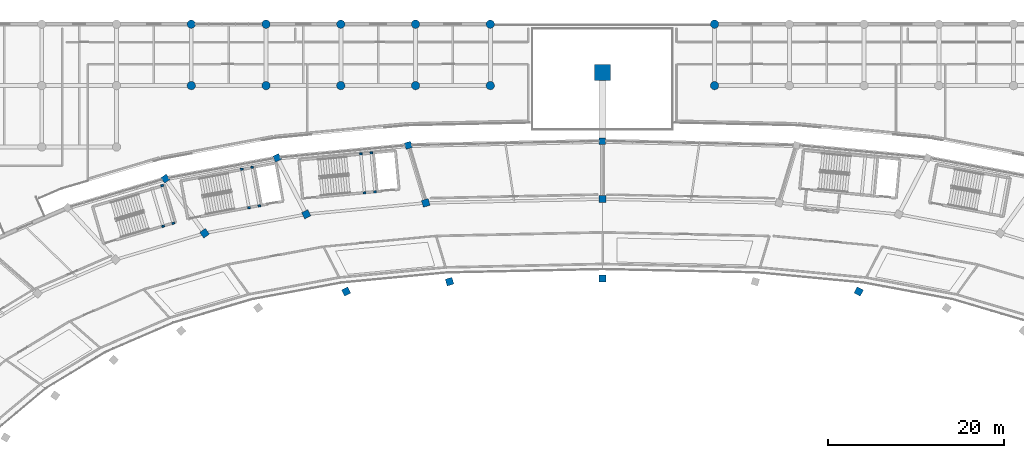
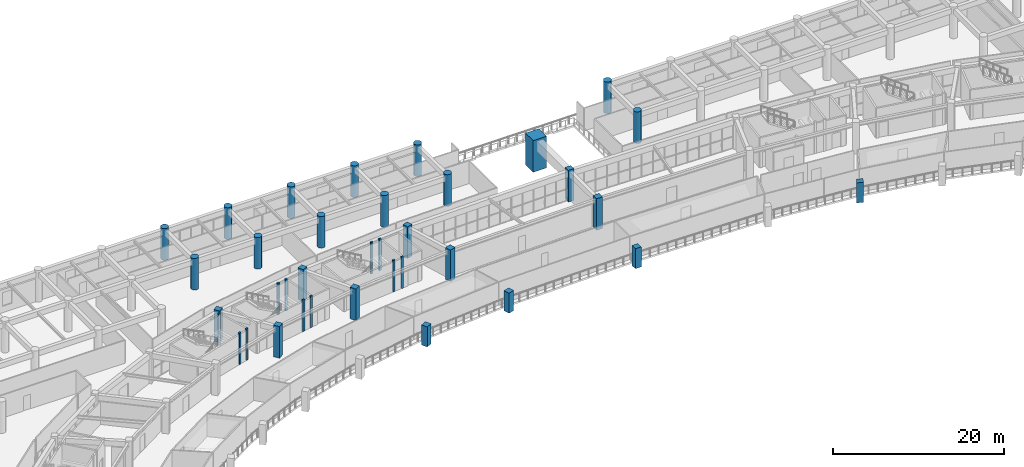
# One storey, part 8 of 141: 36 columns.
"""IFC4 building model written with IfcOpenShell, lengths in metres."""

import ifcopenshell
import ifcopenshell.guid

model = None  # the IFC model being written
_history = None  # IfcOwnerHistory: only IFC2X3 demands one
_inside = {}  # id of a spatial element -> (the spatial element, [elements in it])
_under = {}  # id of a project, library or spatial element -> (it, [spatial elements below it])
_declared = {}  # id of a project -> (the project, [libraries it declares])
_typed = {}  # id of a type object -> (the type object, [elements of that type])
_made_of = {}  # id of a material, layer set ... -> (it, [elements and type objects made of it])


def new_model(schema):
    """Start an empty IFC model of exactly this schema.

    Asked for "IFC4X3", IfcOpenShell would pick the latest addendum, in which some entities
    have other attributes; the version numbers below select the first issue.
    IFC2X3 requires an IfcOwnerHistory on every rooted entity: one is made here for all.
    """
    global model, _history
    if schema == "IFC4X3":
        model = ifcopenshell.file(schema_version=(4, 3, 0, 0))
    else:
        model = ifcopenshell.file(schema=schema)
    _inside.clear()
    _under.clear()
    _declared.clear()
    _typed.clear()
    _made_of.clear()
    _history = None
    if model.schema == "IFC2X3":
        org = make("IfcOrganization", Name="unknown")
        user = make(
            "IfcPersonAndOrganization",
            ThePerson=make("IfcPerson", FamilyName="unknown"),
            TheOrganization=org,
        )
        app = make(
            "IfcApplication",
            ApplicationDeveloper=org,
            Version="unknown",
            ApplicationFullName="unknown",
            ApplicationIdentifier="unknown",
        )
        _history = make(
            "IfcOwnerHistory",
            OwningUser=user,
            OwningApplication=app,
            ChangeAction="ADDED",
            CreationDate=0,
        )
    return model


def make(cls, **values):
    """One entity of the class cls with the attributes given. An attribute that is None is left unset."""
    return model.create_entity(
        cls, **{name: value for name, value in values.items() if value is not None}
    )


def rooted(cls, **values):
    """An entity with a GlobalId (a new one), such as an element, a storey or a relation."""
    return make(cls, GlobalId=ifcopenshell.guid.new(), OwnerHistory=_history, **values)


def si_unit(unit_type, name, prefix=None):
    """IfcSIUnit, for example si_unit("LENGTHUNIT", "METRE", prefix="MILLI")."""
    return make("IfcSIUnit", UnitType=unit_type, Prefix=prefix, Name=name)


def assignment(units):
    """IfcUnitAssignment: the units of a project."""
    return None if units is None else make("IfcUnitAssignment", Units=units)


def point(xyz):
    """IfcCartesianPoint."""
    return None if xyz is None else make("IfcCartesianPoint", Coordinates=xyz)


def direction(xyz):
    """IfcDirection."""
    return None if xyz is None else make("IfcDirection", DirectionRatios=xyz)


def frame(location, z_axis=None, x_axis=None):
    """IfcAxis2Placement3D, a coordinate frame: its origin and axes. An axis left out is left unset."""
    return make(
        "IfcAxis2Placement3D",
        Location=point(location),
        Axis=direction(z_axis),
        RefDirection=direction(x_axis),
    )


def frame_2d(location, x_axis=None):
    """IfcAxis2Placement2D, a coordinate frame in the plane: its origin and x axis."""
    return make(
        "IfcAxis2Placement2D", Location=point(location), RefDirection=direction(x_axis)
    )


def origin():
    """The frame at (0, 0, 0) with its axes left unset."""
    return frame((0.0, 0.0, 0.0))


def origin_2d():
    """The frame at (0, 0) in the plane with its x axis left unset."""
    return frame_2d((0.0, 0.0))


def place(relative_to, where):
    """IfcLocalPlacement: puts the frame where relative to a parent placement (None: the world)."""
    return make(
        "IfcLocalPlacement", PlacementRelTo=relative_to, RelativePlacement=where
    )


def context(
    kind, dimensions, precision=None, world=None, true_north=None, identifier=None
):
    """IfcGeometricRepresentationContext, for example the 3D "Model" context."""
    return make(
        "IfcGeometricRepresentationContext",
        ContextIdentifier=identifier,
        ContextType=kind,
        CoordinateSpaceDimension=dimensions,
        Precision=precision,
        WorldCoordinateSystem=world,
        TrueNorth=true_north,
    )


def subcontext(parent, identifier, kind, view, scale=None):
    """IfcGeometricRepresentationSubContext, for example "Body" below "Model"."""
    return make(
        "IfcGeometricRepresentationSubContext",
        ContextIdentifier=identifier,
        ContextType=kind,
        ParentContext=parent,
        TargetScale=scale,
        TargetView=view,
    )


def project(units=None, contexts=None):
    """IfcProject with its units and contexts."""
    return rooted(
        "IfcProject",
        Name="project",
        RepresentationContexts=contexts,
        UnitsInContext=assignment(units),
    )


def spatial(cls, under=None, at=None, **own):
    """A site, building, storey or space (cls), placed at a placement, below another one or the project."""
    s = rooted(cls, ObjectPlacement=at, **own)
    if under is not None:
        _under.setdefault(under.id(), (under, []))[1].append(s)
    return s


def profile(cls, at=None, kind="AREA", **sizes):
    """A parametric profile (cls). Its sizes go by their IFC names, for example OverallWidth=200.0."""
    return make(cls, ProfileType=kind, Position=at, **sizes)


def rectangle(**sizes):
    """IfcRectangleProfileDef."""
    return profile("IfcRectangleProfileDef", **sizes)


def circle(**sizes):
    """IfcCircleProfileDef."""
    return profile("IfcCircleProfileDef", **sizes)


def extrude(swept, where, along, depth):
    """IfcExtrudedAreaSolid: the profile swept, set in the frame where, extruded along a direction by depth."""
    return make(
        "IfcExtrudedAreaSolid",
        SweptArea=swept,
        Position=where,
        ExtrudedDirection=direction(along),
        Depth=depth,
    )


def shape(context_of_items, identifier, shape_type, items):
    """IfcShapeRepresentation: the items that make up one representation, for example the "Body"."""
    return make(
        "IfcShapeRepresentation",
        ContextOfItems=context_of_items,
        RepresentationIdentifier=identifier,
        RepresentationType=shape_type,
        Items=items,
    )


def material(Name=None, Category=None):
    """IfcMaterial."""
    return make("IfcMaterial", Name=Name, Category=Category)


def material_profile(
    of_material, cross_section, Name=None, Category=None, Priority=None
):
    """IfcMaterialProfile: a cross section and its material."""
    return make(
        "IfcMaterialProfile",
        Name=Name,
        Material=of_material,
        Profile=cross_section,
        Priority=Priority,
        Category=Category,
    )


def profile_set(profiles, Name=None, composite=None):
    """IfcMaterialProfileSet."""
    return make(
        "IfcMaterialProfileSet",
        Name=Name,
        MaterialProfiles=profiles,
        CompositeProfile=composite,
    )


def made_of(thing, what):
    """Note that an element or type object is made of a material, layer set ...; save() writes the relation."""
    if what is not None:
        _made_of.setdefault(what.id(), (what, []))[1].append(thing)
    return thing


def type_object(cls, material=None, **own):
    """A type object (cls), such as IfcWallType, which elements share."""
    return made_of(rooted(cls, **own), material)


def element(
    cls,
    number,
    at=None,
    inside=None,
    cuts=None,
    type_object=None,
    material=None,
    context=None,
    identifier="Body",
    shape_type=None,
    held_by="IfcProductDefinitionShape",
    body=None,
    shapes=None,
    **own,
):
    """One element of the class cls, such as IfcWall. Its Tag is "e" and its number.

    at: its placement. inside: the storey or other place that contains it. cuts: it is an
    opening in that element (IfcRelVoidsElement). A single representation is given by context,
    identifier, shape_type and body (its items); several are given by shapes. held_by: the class
    of the entity that holds the representations. save() writes the other relations.
    """
    e = rooted(cls, Tag="e%d" % number, ObjectPlacement=at, **own)
    if body is not None:
        shapes = [shape(context, identifier, shape_type, body)]
    if shapes is not None:
        e.Representation = make(held_by, Representations=shapes)
    if inside is not None:
        _inside.setdefault(inside.id(), (inside, []))[1].append(e)
    if cuts is not None:
        rooted(
            "IfcRelVoidsElement", RelatingBuildingElement=cuts, RelatedOpeningElement=e
        )
    if type_object is not None:
        _typed.setdefault(type_object.id(), (type_object, []))[1].append(e)
    return made_of(e, material)


def aggregate(whole, parts):
    """IfcRelAggregates: a whole, such as a stair, and the parts it consists of."""
    return rooted("IfcRelAggregates", RelatingObject=whole, RelatedObjects=parts)


def save(model, path):
    """Write the relations noted so far, then the file.

    IfcRelAggregates (storeys below a building ...), IfcRelContainedInSpatialStructure (elements
    in a storey), IfcRelDefinesByType, IfcRelAssociatesMaterial and IfcRelDeclares: one each for
    every whole, place, type object, material and project.
    """
    for whole, parts in _under.values():
        aggregate(whole, parts)
    for where, things in _inside.values():
        rooted(
            "IfcRelContainedInSpatialStructure",
            RelatedElements=things,
            RelatingStructure=where,
        )
    for kind, things in _typed.values():
        rooted("IfcRelDefinesByType", RelatedObjects=things, RelatingType=kind)
    for what, things in _made_of.values():
        rooted("IfcRelAssociatesMaterial", RelatedObjects=things, RelatingMaterial=what)
    for by, libraries in _declared.values():
        rooted("IfcRelDeclares", RelatingContext=by, RelatedDefinitions=libraries)
    model.write(path)


model = new_model("IFC4")

# Units and contexts
model_context = context("Model", 3, precision=1e-05, world=origin(), true_north=direction((0.0, 1.0)))
body_context = subcontext(model_context, "Body", "Model", "MODEL_VIEW")
ifc_project = project(units=[si_unit("LENGTHUNIT", "METRE"), si_unit("AREAUNIT", "SQUARE_METRE"), si_unit("VOLUMEUNIT", "CUBIC_METRE"), si_unit("PLANEANGLEUNIT", "RADIAN"), si_unit("MASSUNIT", "GRAM", prefix="KILO")], contexts=[model_context])

# Site, building, storey
site_placement = place(None, origin())
site = spatial("IfcSite", under=ifc_project, at=site_placement, CompositionType="ELEMENT")
building_placement = place(site_placement, origin())
building = spatial("IfcBuilding", under=site, at=building_placement, Name="Mphavela Belvedere Stadium", CompositionType="ELEMENT")
storey_placement = place(building_placement, frame((0.0, 0.0, 14.699951171875)))
storey = spatial("IfcBuildingStorey", under=building, at=storey_placement, Name="L03", CompositionType="ELEMENT", Elevation=14.699951171875)

# Columns
ifc_material_1 = material(Name="Concrete C40/50", Category="concrete")
ifc_material_profile_1 = material_profile(ifc_material_1, rectangle(XDim=0.300048828125, YDim=0.219970703125, at=origin_2d()), Name="RC 300x220")
ifc_profile_set_1 = profile_set([ifc_material_profile_1], Name="Concrete C40/50")
column_type_1 = type_object("IfcColumnType", Name="COL-CORE-POST-300", PredefinedType="COLUMN", material=ifc_profile_set_1)
for number, where, z_axis, x_axis, name in (
    (1, (74.728515625, 153.078125, 0.0), (0.0, 0.0, 1.0), (0.983095502692, 0.183093507769, 0.0), "Core C02 stair frame column L03-1"),
    (2, (75.908203125, 153.2978515625, 0.0), (0.0, 0.0, 1.0), (0.983095502692, 0.183093507769, 0.0), "Core C02 stair frame column L03-2"),
    (3, (75.08984375, 157.6923828125, 0.0), (0.0, 0.0, 1.0), (0.983095502692, 0.183093507769, 0.0), "Core C02 stair frame column L03-3"),
    (4, (73.91015625, 157.47265625, 0.0), (0.0, 0.0, 1.0), (0.983095502692, 0.183093507769, 0.0), "Core C02 stair frame column L03-4"),
    (5, (87.893798828125, 154.77294921875, 0.0), (0.0, 0.0, 1.0), (0.995479460536, 0.094977069084, 0.0), "Core C04 stair frame column L03-1"),
    (6, (89.08837890625, 154.886962890625, 0.0), (0.0, 0.0, 1.0), (0.995479460536, 0.094977069084, 0.0), "Core C04 stair frame column L03-2"),
    (7, (88.663818359375, 159.3369140625, 0.0), (0.0, 0.0, 1.0), (0.995479460536, 0.094977069084, 0.0), "Core C04 stair frame column L03-3"),
    (8, (87.46923828125, 159.222900390625, 0.0), (0.0, 0.0, 1.0), (0.995479460536, 0.094977069084, 0.0), "Core C04 stair frame column L03-4"),
    (9, (64.94580078125, 150.971923828125, 0.0), (0.0, 0.0, 1.0), (0.958670893355, 0.284517342588, 0.0), "Core P03 stair frame column L03-1"),
    (10, (66.09619140625, 151.313232421875, 0.0), (0.0, 0.0, 1.0), (0.958670893355, 0.284517342588, 0.0), "Core P03 stair frame column L03-2"),
    (11, (64.824462890625, 155.5986328125, 0.0), (0.0, 0.0, 1.0), (0.958670893355, 0.284517342588, 0.0), "Core P03 stair frame column L03-3"),
):
    element("IfcColumn", number, at=place(storey_placement, frame(where, z_axis=z_axis, x_axis=x_axis)), inside=storey, type_object=column_type_1, Name=name, PredefinedType="COLUMN", context=body_context, shape_type="SweptSolid", body=[
        extrude(rectangle(XDim=0.300048828125, YDim=0.219970703125, at=origin_2d()), origin(), (0.0, 0.0, 1.0), 4.5),
    ])
ifc_material_2 = material(Name="Concrete C40/50", Category="concrete")
ifc_material_profile_2 = material_profile(ifc_material_2, circle(Radius=0.47509765625, at=origin_2d()), Name="COL D950")
ifc_profile_set_2 = profile_set([ifc_material_profile_2], Name="Concrete C40/50")
column_type_2 = type_object("IfcColumnType", Name="COL-DORIC-950", PredefinedType="COLUMN", material=ifc_profile_set_2)
for number, where, z_axis, x_axis, name in (
    (12, (68.14794921875, 167.0, 0.0), (0.0, 0.0, 1.0), (1.0, 0.0, 0.0), "North Mast and Ceremonial End Forecourt classical column L03 9-7"),
    (13, (68.14794921875, 174.0, 0.0), (0.0, 0.0, 1.0), (1.0, 0.0, 0.0), "North Mast and Ceremonial End Forecourt classical column L03 9-8"),
    (14, (76.6669921875, 167.0, 0.0), (0.0, 0.0, 1.0), (1.0, 0.0, 0.0), "North Mast and Ceremonial End Forecourt classical column L03 10-7"),
    (15, (76.6669921875, 174.0, 0.0), (0.0, 0.0, 1.0), (1.0, 0.0, 0.0), "North Mast and Ceremonial End Forecourt classical column L03 10-8"),
    (16, (85.18505859375, 167.0, 0.0), (0.0, 0.0, 1.0), (1.0, 0.0, 0.0), "North Mast and Ceremonial End Forecourt classical column L03 11-7"),
    (17, (85.18505859375, 174.0, 0.0), (0.0, 0.0, 1.0), (1.0, 0.0, 0.0), "North Mast and Ceremonial End Forecourt classical column L03 11-8"),
    (18, (93.7041015625, 167.0, 0.0), (0.0, 0.0, 1.0), (1.0, 0.0, 0.0), "North Mast and Ceremonial End Forecourt classical column L03 12-7"),
    (19, (93.7041015625, 174.0, 0.0), (0.0, 0.0, 1.0), (1.0, 0.0, 0.0), "North Mast and Ceremonial End Forecourt classical column L03 12-8"),
    (20, (102.221923828125, 167.0, 0.0), (0.0, 0.0, 1.0), (1.0, 0.0, 0.0), "North Mast and Ceremonial End Forecourt classical column L03 13-7"),
    (21, (102.221923828125, 174.0, 0.0), (0.0, 0.0, 1.0), (1.0, 0.0, 0.0), "North Mast and Ceremonial End Forecourt classical column L03 13-8"),
    (22, (127.778076171875, 167.0, 0.0), (0.0, 0.0, 1.0), (1.0, 0.0, 0.0), "North Mast and Ceremonial End Forecourt classical column L03 16-7"),
    (23, (127.778076171875, 174.0, 0.0), (0.0, 0.0, 1.0), (1.0, 0.0, 0.0), "North Mast and Ceremonial End Forecourt classical column L03 16-8"),
):
    element("IfcColumn", number, at=place(storey_placement, frame(where, z_axis=z_axis, x_axis=x_axis)), inside=storey, type_object=column_type_2, Name=name, PredefinedType="COLUMN", context=body_context, shape_type="SweptSolid", body=[
        extrude(circle(Radius=0.47509765625, at=origin_2d()), origin(), (0.0, 0.0, 1.0), 4.5),
    ])
ifc_material_3 = material(Name="Concrete C50/60", Category="concrete")
ifc_material_profile_3 = material_profile(ifc_material_3, rectangle(XDim=1.800048828125, YDim=1.800048828125, at=origin_2d()), Name="RC 1800x1800")
ifc_profile_set_3 = profile_set([ifc_material_profile_3], Name="Concrete C50/60")
column_type_3 = type_object("IfcColumnType", Name="COL-MAST-PIER", PredefinedType="COLUMN", material=ifc_profile_set_3)
column_1_placement = place(storey_placement, frame((115.0, 168.5, 0.0), z_axis=(0.0, 0.0, 1.0), x_axis=(1.0, 0.0, 0.0)))
element("IfcColumn", 24, at=column_1_placement, inside=storey, type_object=column_type_3, Name="North mast buttress pier L03 MP-1", PredefinedType="COLUMN", context=body_context, shape_type="SweptSolid", body=[
    extrude(rectangle(XDim=1.800048828125, YDim=1.800048828125, at=origin_2d()), origin(), (0.0, 0.0, 1.0), 4.5),
])
ifc_material_4 = material(Name="Concrete C40/50", Category="concrete")
ifc_material_profile_4 = material_profile(ifc_material_4, rectangle(XDim=0.75, YDim=0.75, at=origin_2d()), Name="RC 750x750")
ifc_profile_set_4 = profile_set([ifc_material_profile_4], Name="Concrete C40/50")
column_type_4 = type_object("IfcColumnType", Name="COL-RC750", PredefinedType="COLUMN", material=ifc_profile_set_4)
for number, where, z_axis, x_axis, name in (
    (25, (115.0, 160.669921875, 0.0), (0.0, 0.0, 1.0), (0.0, 1.0, 0.0), "Outer colonnade column L03 R4-13"),
    (26, (92.885498046875, 160.19384765625, 0.0), (0.0, 0.0, 1.0), (-0.289198876314, 0.957269037387, 0.0), "Outer colonnade column L03 R4-14"),
    (27, (77.92724609375, 158.767333984375, 0.0), (0.0, 0.0, 1.0), (-0.458959712465, 0.888457079624, 0.0), "Outer colonnade column L03 R4-15"),
    (28, (65.19873046875, 156.39697265625, 0.0), (0.0, 0.0, 1.0), (-0.582974127943, 0.812490717577, 0.0), "Outer colonnade column L03 R4-16"),
):
    element("IfcColumn", number, at=place(storey_placement, frame(where, z_axis=z_axis, x_axis=x_axis)), inside=storey, type_object=column_type_4, Name=name, PredefinedType="COLUMN", context=body_context, shape_type="SweptSolid", body=[
        extrude(rectangle(XDim=0.75, YDim=0.75, at=origin_2d()), origin(), (0.0, 0.0, 1.0), 4.5),
    ])
ifc_material_5 = material(Name="Concrete C40/50", Category="concrete")
ifc_material_profile_5 = material_profile(ifc_material_5, rectangle(XDim=0.800048828125, YDim=0.800048828125, at=origin_2d()), Name="RC 800x800")
ifc_profile_set_5 = profile_set([ifc_material_profile_5], Name="Concrete C40/50")
column_type_5 = type_object("IfcColumnType", Name="COL-RC800", PredefinedType="COLUMN", material=ifc_profile_set_5)
for number, where, z_axis, x_axis, name in (
    (29, (144.20361328125, 143.53369140625, 0.0), (0.0, 0.0, 1.0), (0.458959712465, 0.888457079624, 0.0), "Upper raker support column L03 R2-11"),
    (30, (115.0, 145.032470703125, 0.0), (0.0, 0.0, 1.0), (0.0, 1.0, 0.0), "Upper raker support column L03 R2-13"),
):
    element("IfcColumn", number, at=place(storey_placement, frame(where, z_axis=z_axis, x_axis=x_axis)), inside=storey, type_object=column_type_5, Name=name, PredefinedType="COLUMN", context=body_context, shape_type="SweptSolid", body=[
        extrude(rectangle(XDim=0.800048828125, YDim=0.800048828125, at=origin_2d()), origin(), (0.0, 0.0, 1.0), 2.85009765625),
    ])
column_2_placement = place(storey_placement, frame((115.0, 154.0673828125, 0.0), z_axis=(0.0, 0.0, 1.0), x_axis=(0.0, 1.0, 0.0)))
element("IfcColumn", 31, at=column_2_placement, inside=storey, type_object=column_type_5, Name="Main bowl column L03 R3-13", PredefinedType="COLUMN", context=body_context, shape_type="SweptSolid", body=[
    extrude(rectangle(XDim=0.800048828125, YDim=0.800048828125, at=origin_2d()), origin(), (0.0, 0.0, 1.0), 4.5),
])
column_3_placement = place(storey_placement, frame((97.57958984375, 144.657470703125, 0.0), z_axis=(0.0, 0.0, 1.0), x_axis=(-0.289198876314, 0.957269037387, 0.0)))
element("IfcColumn", 32, at=column_3_placement, inside=storey, type_object=column_type_5, Name="Upper raker support column L03 R2-14", PredefinedType="COLUMN", context=body_context, shape_type="SweptSolid", body=[
    extrude(rectangle(XDim=0.800048828125, YDim=0.800048828125, at=origin_2d()), origin(), (0.0, 0.0, 1.0), 2.85009765625),
])
column_4_placement = place(storey_placement, frame((94.8671875, 153.634033203125, 0.0), z_axis=(0.0, 0.0, 1.0), x_axis=(-0.289198876314, 0.957269037387, 0.0)))
element("IfcColumn", 33, at=column_4_placement, inside=storey, type_object=column_type_5, Name="Main bowl column L03 R3-14", PredefinedType="COLUMN", context=body_context, shape_type="SweptSolid", body=[
    extrude(rectangle(XDim=0.800048828125, YDim=0.800048828125, at=origin_2d()), origin(), (0.0, 0.0, 1.0), 4.5),
])
column_5_placement = place(storey_placement, frame((85.79638671875, 143.53369140625, 0.0), z_axis=(0.0, 0.0, 1.0), x_axis=(-0.458959712465, 0.888457079624, 0.0)))
element("IfcColumn", 34, at=column_5_placement, inside=storey, type_object=column_type_5, Name="Upper raker support column L03 R2-15", PredefinedType="COLUMN", context=body_context, shape_type="SweptSolid", body=[
    extrude(rectangle(XDim=0.800048828125, YDim=0.800048828125, at=origin_2d()), origin(), (0.0, 0.0, 1.0), 2.85009765625),
])
for number, where, z_axis, x_axis, name in (
    (35, (81.249755859375, 152.33544921875, 0.0), (0.0, 0.0, 1.0), (-0.458959712465, 0.888457079624, 0.0), "Main bowl column L03 R3-15"),
    (36, (69.662109375, 150.177490234375, 0.0), (0.0, 0.0, 1.0), (-0.582974127943, 0.812490717577, 0.0), "Main bowl column L03 R3-16"),
):
    element("IfcColumn", number, at=place(storey_placement, frame(where, z_axis=z_axis, x_axis=x_axis)), inside=storey, type_object=column_type_5, Name=name, PredefinedType="COLUMN", context=body_context, shape_type="SweptSolid", body=[
        extrude(rectangle(XDim=0.800048828125, YDim=0.800048828125, at=origin_2d()), origin(), (0.0, 0.0, 1.0), 4.5),
    ])

save(model, "model.ifc")
